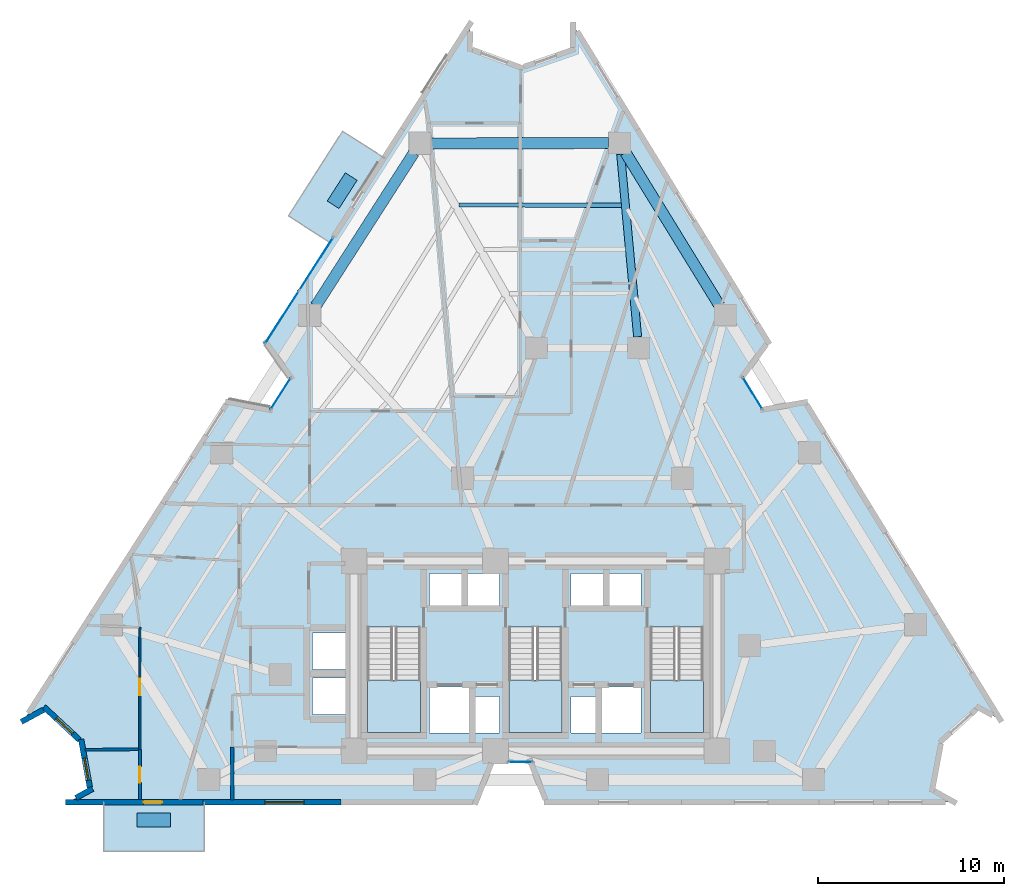
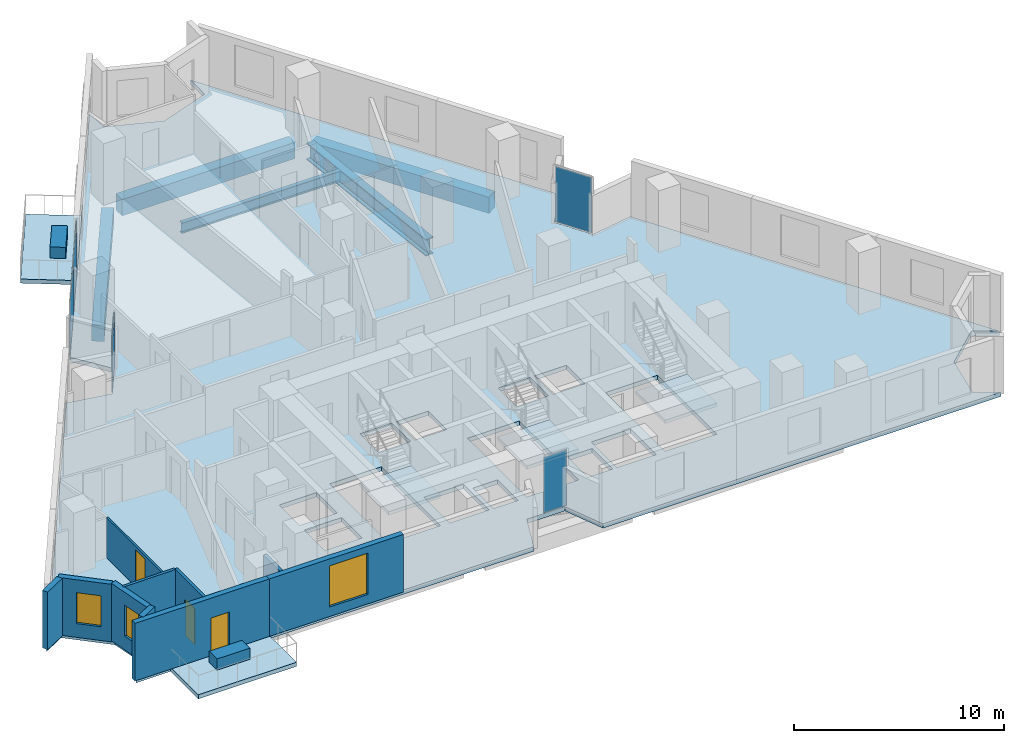
# One storey, part 5 of 13: 10 walls, 7 plates, 6 slabs, 5 beams, 3 doors, 3 windows, 6 openings, 7 elements without a shape of their own.
"""IFC4 building model written with IfcOpenShell, lengths in metres."""

from ifc_helpers import new_model, si_unit, direction, frame, frame_2d, origin, origin_2d, place, context, subcontext, project, spatial, polyline, rectangle, i_section, outline, extrude, material, layer, layer_set, material_profile, profile_set, type_object, element, fill, aggregate, save


model = new_model("IFC4")

# Units and contexts
model_context = context("Model", 3, precision=1e-05, world=origin(), true_north=direction((0.0, 1.0)))
body_context = subcontext(model_context, "Body", "Model", "MODEL_VIEW")
ifc_project = project(units=[si_unit("LENGTHUNIT", "METRE"), si_unit("AREAUNIT", "SQUARE_METRE"), si_unit("VOLUMEUNIT", "CUBIC_METRE"), si_unit("PLANEANGLEUNIT", "RADIAN"), si_unit("MASSUNIT", "GRAM", prefix="KILO")], contexts=[model_context])

# Site, building, storey
site_placement = place(None, origin())
site = spatial("IfcSite", under=ifc_project, at=site_placement, CompositionType="ELEMENT")
building_placement = place(site_placement, origin())
building = spatial("IfcBuilding", under=site, at=building_placement, Name="Almagre Mirador Tower", CompositionType="ELEMENT")
storey_placement = place(building_placement, frame((0.0, 0.0, 89.39990234375)))
storey = spatial("IfcBuildingStorey", under=building, at=storey_placement, Name="L22", CompositionType="ELEMENT", Elevation=89.39990234375)

# Beams
ifc_material_1 = material(Name="Steel ASTM A992 Grade 50", Category="steel")
ifc_material_profile_1 = material_profile(ifc_material_1, i_section(OverallWidth=0.22802734375, OverallDepth=0.60791015625, WebThickness=0.01123046875, FlangeThickness=0.017333984375, FilletRadius=0.02001953125, at=origin_2d()), Name="W24X76")
ifc_profile_set_1 = profile_set([ifc_material_profile_1], Name="Steel ASTM A992 Grade 50")
beam_type_1 = type_object("IfcBeamType", Name="BM-JST-W24X76", PredefinedType="JOIST", material=ifc_profile_set_1)
beam_1_placement = place(storey_placement, frame((41.923095703125, 33.86328125, -0.553955078125), z_axis=(-0.999997681519, 0.00215335929, 0.0), x_axis=(-0.00215335929, -0.999997681519, 0.0)))
element("IfcBeam", 1, at=beam_1_placement, inside=storey, type_object=beam_type_1, Name="L22 secondary floor joist PC08-PC09.1", PredefinedType="JOIST", context=body_context, shape_type="SweptSolid", body=[
    extrude(i_section(OverallWidth=0.22802734375, OverallDepth=0.60791015625, WebThickness=0.01123046875, FlangeThickness=0.017333984375, FilletRadius=0.02001953125, at=origin_2d()), origin(), (0.0, 0.0, 1.0), 8.72998046875),
])
ifc_material_2 = material(Name="Precast concrete C50/60", Category="concrete")
ifc_material_profile_2 = material_profile(ifc_material_2, rectangle(XDim=0.60009765625, YDim=0.949951171875, at=origin_2d()), Name="RC600X950")
ifc_profile_set_2 = profile_set([ifc_material_profile_2], Name="Precast concrete C50/60")
beam_type_2 = type_object("IfcBeamType", Name="BM-SPN-RC600X950", PredefinedType="SPANDREL", material=ifc_profile_set_2)
beam_2_placement = place(storey_placement, frame((47.19189453125, 28.47900390625, -0.724853515625), z_axis=(-0.523685040843, 0.851911954369, 0.0), x_axis=(-0.851911954369, -0.523685040843, 0.0)))
element("IfcBeam", 2, at=beam_2_placement, inside=storey, type_object=beam_type_2, Name="L22 perimeter spandrel beam PC07-PC08", PredefinedType="SPANDREL", context=body_context, shape_type="SweptSolid", body=[
    extrude(rectangle(XDim=0.60009765625, YDim=0.949951171875, at=origin_2d()), origin(), (0.0, 0.0, 1.0), 9.646484375),
])
beam_3_placement = place(storey_placement, frame((41.22607421875, 37.206787109375, -0.724853515625), z_axis=(-0.999998482053, -0.001742380833, 0.0), x_axis=(0.001742380833, -0.999998482053, 0.0)))
element("IfcBeam", 3, at=beam_3_placement, inside=storey, type_object=beam_type_2, Name="L22 perimeter spandrel beam PC08-PC09", PredefinedType="SPANDREL", context=body_context, shape_type="SweptSolid", body=[
    extrude(rectangle(XDim=0.60009765625, YDim=0.949951171875, at=origin_2d()), origin(), (0.0, 0.0, 1.0), 9.528076171875),
])
beam_4_placement = place(storey_placement, frame((30.7744140625, 36.683837890625, -0.724853515625), z_axis=(-0.539465454843, -0.842007733356, 0.0), x_axis=(0.842007733356, -0.539465454843, 0.0)))
element("IfcBeam", 4, at=beam_4_placement, inside=storey, type_object=beam_type_2, Name="L22 perimeter spandrel beam PC09-PC10", PredefinedType="SPANDREL", context=body_context, shape_type="SweptSolid", body=[
    extrude(rectangle(XDim=0.60009765625, YDim=0.949951171875, at=origin_2d()), origin(), (0.0, 0.0, 1.0), 9.77392578125),
])
ifc_material_3 = material(Name="Steel ASTM A992 Grade 50", Category="steel")
ifc_material_profile_3 = material_profile(ifc_material_3, i_section(OverallWidth=0.427978515625, OverallDepth=0.97509765625, WebThickness=0.031005859375, FlangeThickness=0.055908203125, FilletRadius=0.028076171875, at=origin_2d()), Name="W36X395")
ifc_profile_set_3 = profile_set([ifc_material_profile_3], Name="Steel ASTM A992 Grade 50")
beam_type_3 = type_object("IfcBeamType", Name="BM-STL-W36X395", PredefinedType="BEAM", material=ifc_profile_set_3)
beam_5_placement = place(storey_placement, frame((41.881591796875, 36.610595703125, -0.7373046875), z_axis=(0.092621655493, -0.99570137538, 0.0), x_axis=(0.99570137538, 0.092621655493, 0.0)))
element("IfcBeam", 5, at=beam_5_placement, inside=storey, type_object=beam_type_3, Name="L22 radial floor girder PC08-MC6", PredefinedType="BEAM", context=body_context, shape_type="SweptSolid", body=[
    extrude(i_section(OverallWidth=0.427978515625, OverallDepth=0.97509765625, WebThickness=0.031005859375, FlangeThickness=0.055908203125, FilletRadius=0.028076171875, at=origin_2d()), origin(), (0.0, 0.0, 1.0), 9.855712890625),
])

# Curtain wall, plate
ifc_material_4 = material(Name="Black anodized aluminium", Category="aluminium")
ifc_layer_1 = layer(ifc_material_4, 0.169921875)
ifc_layer_set_1 = layer_set([ifc_layer_1], Name="Black anodized aluminium")
curtain_wall_type_1 = type_object("IfcCurtainWallType", Name="CW-CRS-SYS", PredefinedType="NOTDEFINED", material=ifc_layer_set_1)
curtain_wall_1_placement = place(storey_placement, origin())
curtain_wall_1 = element("IfcCurtainWall", 6, at=curtain_wall_1_placement, inside=storey, type_object=curtain_wall_type_1, Name="L22 vertical crease curtain wall 01", PredefinedType="NOTDEFINED")
ifc_material_5 = material(Name="Dark solar-control laminated hurricane glass", Category="glass")
ifc_layer_2 = layer(ifc_material_5, 0.028076171875)
ifc_layer_set_2 = layer_set([ifc_layer_2], Name="Dark solar-control laminated hurricane glass")
plate_type_1 = type_object("IfcPlateType", Name="PLT-GLZ-28", PredefinedType="CURTAIN_PANEL", material=ifc_layer_set_2)
plate_1_placement = place(storey_placement, frame((23.610595703125, 23.739990234375, 0.06005859375), z_axis=(0.0, 0.0, 1.0), x_axis=(0.539257350873, 0.842141027103, 0.0)))
plate_1 = element("IfcPlate", 7, at=plate_1_placement, type_object=plate_type_1, Name="CW-4 panel 1.1", PredefinedType="CURTAIN_PANEL", context=body_context, shape_type="SweptSolid", body=[
    extrude(rectangle(XDim=1.969970703125, YDim=0.028076171875, at=origin_2d()), origin(), (0.0, 0.0, 1.0), 3.22998046875),
])
aggregate(curtain_wall_1, [plate_1])

curtain_wall_2_placement = place(storey_placement, origin())
curtain_wall_2 = element("IfcCurtainWall", 8, at=curtain_wall_2_placement, inside=storey, type_object=curtain_wall_type_1, Name="L22 vertical crease curtain wall 03", PredefinedType="NOTDEFINED")
plate_2_placement = place(storey_placement, frame((48.968505859375, 23.77392578125, 0.06005859375), z_axis=(0.0, 0.0, 1.0), x_axis=(0.523963930469, -0.85174045317, 0.0)))
plate_2 = element("IfcPlate", 9, at=plate_2_placement, type_object=plate_type_1, Name="CW-4 panel 1.1", PredefinedType="CURTAIN_PANEL", context=body_context, shape_type="SweptSolid", body=[
    extrude(rectangle(XDim=1.9697265625, YDim=0.028076171875, at=origin_2d()), origin(), (0.0, 0.0, 1.0), 3.22998046875),
])
aggregate(curtain_wall_2, [plate_2])

curtain_wall_3_placement = place(storey_placement, origin())
curtain_wall_3 = element("IfcCurtainWall", 10, at=curtain_wall_3_placement, inside=storey, type_object=curtain_wall_type_1, Name="L22 vertical crease curtain wall 04", PredefinedType="NOTDEFINED")
plate_3_placement = place(storey_placement, frame((36.49853515625, 3.949951171875, 0.06005859375), z_axis=(0.0, 0.0, 1.0), x_axis=(-1.0, 0.0, 0.0)))
plate_3 = element("IfcPlate", 11, at=plate_3_placement, type_object=plate_type_1, Name="CW-4 panel 1.1", PredefinedType="CURTAIN_PANEL", context=body_context, shape_type="SweptSolid", body=[
    extrude(rectangle(XDim=1.2529296875, YDim=0.028076171875, at=origin_2d()), origin(), (0.0, 0.0, 1.0), 3.22998046875),
])
aggregate(curtain_wall_3, [plate_3])

# Curtain wall, plates
ifc_material_6 = material(Name="Black anodized aluminium", Category="aluminium")
ifc_layer_3 = layer(ifc_material_6, 0.18994140625)
ifc_layer_set_3 = layer_set([ifc_layer_3], Name="Black anodized aluminium")
curtain_wall_type_2 = type_object("IfcCurtainWallType", Name="CW-RES-L-SYS", PredefinedType="NOTDEFINED", material=ifc_layer_set_3)
curtain_wall_4_placement = place(storey_placement, origin())
curtain_wall_4 = element("IfcCurtainWall", 12, at=curtain_wall_4_placement, inside=storey, type_object=curtain_wall_type_2, Name="L22 curtain wall run 02", PredefinedType="NOTDEFINED")
ifc_material_7 = material(Name="Dark solar-control laminated hurricane glass", Category="glass")
ifc_layer_4 = layer(ifc_material_7, 0.031982421875)
ifc_layer_set_4 = layer_set([ifc_layer_4], Name="Dark solar-control laminated hurricane glass")
plate_type_2 = type_object("IfcPlateType", Name="PLT-GLZ-32", PredefinedType="CURTAIN_PANEL", material=ifc_layer_set_4)
plate_4_placement = place(storey_placement, frame((23.68505859375, 27.84228515625, 0.06005859375), z_axis=(0.0, 0.0, 1.0), x_axis=(0.539469068688, 0.842005417993, 0.0)))
plate_4 = element("IfcPlate", 13, at=plate_4_placement, type_object=plate_type_2, Name="CW-2 panel 1.1", PredefinedType="CURTAIN_PANEL", context=body_context, shape_type="SweptSolid", body=[
    extrude(rectangle(XDim=3.33837890625, YDim=0.031982421875, at=origin_2d()), origin(), (0.0, 0.0, 1.0), 3.22998046875),
])
plate_5_placement = place(storey_placement, frame((25.52099609375, 30.707763671875, 0.06005859375), z_axis=(0.0, 0.0, 1.0), x_axis=(0.539469068688, 0.842005417993, 0.0)))
plate_5 = element("IfcPlate", 14, at=plate_5_placement, type_object=plate_type_2, Name="CW-2 panel 2.1", PredefinedType="CURTAIN_PANEL", context=body_context, shape_type="SweptSolid", body=[
    extrude(rectangle(XDim=3.33837890625, YDim=0.031982421875, at=origin_2d()), origin(), (0.0, 0.0, 1.0), 3.22998046875),
])
aggregate(curtain_wall_4, [plate_4, plate_5])

# Plates
ifc_material_8 = material(Name="Precast concrete C50/60", Category="concrete")
ifc_layer_5 = layer(ifc_material_8, 0.64990234375)
ifc_layer_set_5 = layer_set([ifc_layer_5], Name="Precast concrete C50/60")
plate_type_3 = type_object("IfcPlateType", Name="PLT-PLANTER-1800", PredefinedType="USERDEFINED", material=ifc_layer_set_5)
for number, where, z_axis, x_axis, name in (
    (15, (16.800048828125, 0.85009765625, 0.000244140625), (0.0, 0.0, 1.0), (1.0, 0.0, 0.0), "L22 south balcony structural tree planter 1"),
    (16, (26.919921875, 34.652099609375, 0.000244140625), (0.0, 0.0, 1.0), (-0.539461671362, -0.84201015738, 0.0), "L22 west balcony structural tree planter 2"),
):
    element("IfcPlate", number, at=place(storey_placement, frame(where, z_axis=z_axis, x_axis=x_axis)), inside=storey, type_object=plate_type_3, Name=name, ObjectType="PLANTER", PredefinedType="USERDEFINED", context=body_context, shape_type="SweptSolid", body=[
        extrude(rectangle(XDim=1.800048828125, YDim=0.75, at=origin_2d()), origin(), (0.0, 0.0, 1.0), 0.64990234375),
    ])

# Slabs
ifc_material_9 = material(Name="Concrete C45/55", Category="concrete")
ifc_layer_6 = layer(ifc_material_9, 0.239990234375)
ifc_layer_set_6 = layer_set([ifc_layer_6], Name="Concrete C45/55")
slab_type_1 = type_object("IfcSlabType", Name="SLB-BAL-240", PredefinedType="USERDEFINED", material=ifc_layer_set_6)
slab_1_placement = place(storey_placement, frame((0.0, 0.0, -0.239990234375)))
element("IfcSlab", 17, at=slab_1_placement, inside=storey, type_object=slab_type_1, Name="L22 south planted tree balcony 1", ObjectType="BALCONY", PredefinedType="USERDEFINED", context=body_context, shape_type="SweptSolid", body=[
    extrude(outline(polyline([(14.10009765625, 1.820068359375), (19.5, 1.820068359375), (19.5, -0.85009765625), (14.10009765625, -0.85009765625), (14.10009765625, 1.820068359375)])), origin(), (0.0, 0.0, 1.0), 0.239990234375),
])
slab_2_placement = place(storey_placement, frame((0.0, 0.0, -0.239990234375)))
element("IfcSlab", 18, at=slab_2_placement, inside=storey, type_object=slab_type_1, Name="L22 west planted tree balcony 2", ObjectType="BALCONY", PredefinedType="USERDEFINED", context=body_context, shape_type="SweptSolid", body=[
    extrude(outline(polyline([(29.194091796875, 36.402099609375), (26.280029296875, 31.85595703125), (24.031982421875, 33.2958984375), (26.945068359375, 37.843017578125), (29.194091796875, 36.402099609375)])), origin(), (0.0, 0.0, 1.0), 0.239990234375),
])
ifc_material_10 = material(Name="Concrete C45/55", Category="concrete")
ifc_layer_7 = layer(ifc_material_10, 0.25)
ifc_layer_set_7 = layer_set([ifc_layer_7], Name="Concrete C45/55")
slab_type_2 = type_object("IfcSlabType", Name="SLB-FLR-250", PredefinedType="FLOOR", material=ifc_layer_set_7)
slab_3_placement = place(storey_placement, frame((0.0, 0.0, -0.25)))
element("IfcSlab", 19, at=slab_3_placement, inside=storey, type_object=slab_type_2, Name="L22 structural floor slab", PredefinedType="FLOOR", context=body_context, shape_type="SweptSolid", body=[
    extrude(outline(polyline([(9.804931640625, 6.177978515625), (10.989990234375, 6.825927734375), (12.9169921875, 5.035888671875), (13.384033203125, 2.447998046875), (12.199951171875, 1.800048828125), (34.10009765625, 1.800048828125), (34.955078125, 3.949951171875), (37.044921875, 3.949951171875), (37.89990234375, 1.800048828125), (59.800048828125, 1.800048828125), (58.6220703125, 2.458984375), (59.114013671875, 5.091064453125), (61.09912109375, 6.888916015625), (62.277099609375, 6.22998046875), (51.794921875, 23.281005859375), (49.51611328125, 22.884033203125), (48.4208984375, 24.6640625), (49.804931640625, 26.51904296875), (39.322998046875, 43.570068359375), (39.31103515625, 42.219970703125), (36.537109375, 41.256103515625), (33.781982421875, 42.27197265625), (33.794921875, 43.6220703125), (22.824951171875, 26.5), (24.174072265625, 24.6201171875), (23.047119140625, 22.860107421875), (20.77490234375, 23.300048828125), (9.804931640625, 6.177978515625)]), holes=[polyline([(43.47509765625, 11.196044921875), (46.324951171875, 11.196044921875), (46.324951171875, 5.550048828125), (43.47509765625, 5.550048828125), (43.47509765625, 11.196044921875)]), polyline([(40.820068359375, 5.52001953125), (40.820068359375, 7.97998046875), (42.97998046875, 7.97998046875), (42.97998046875, 5.52001953125), (40.820068359375, 5.52001953125)]), polyline([(41.219970703125, 12.320068359375), (41.219970703125, 14.080078125), (42.97998046875, 14.080078125), (42.97998046875, 12.320068359375), (41.219970703125, 12.320068359375)]), polyline([(39.219970703125, 12.320068359375), (39.219970703125, 14.080078125), (40.97998046875, 14.080078125), (40.97998046875, 12.320068359375), (39.219970703125, 12.320068359375)]), polyline([(39.219970703125, 5.52001953125), (39.219970703125, 7.47998046875), (40.580078125, 7.47998046875), (40.580078125, 5.52001953125), (39.219970703125, 5.52001953125)]), polyline([(35.875, 11.196044921875), (38.72509765625, 11.196044921875), (38.72509765625, 5.550048828125), (35.875, 5.550048828125), (35.875, 11.196044921875)]), polyline([(35.3798828125, 5.52001953125), (34.02001953125, 5.52001953125), (34.02001953125, 7.47998046875), (35.3798828125, 7.47998046875), (35.3798828125, 5.52001953125)]), polyline([(35.3798828125, 12.320068359375), (33.6201171875, 12.320068359375), (33.6201171875, 14.080078125), (35.3798828125, 14.080078125), (35.3798828125, 12.320068359375)]), polyline([(31.6201171875, 5.52001953125), (31.6201171875, 7.97998046875), (33.780029296875, 7.97998046875), (33.780029296875, 5.52001953125), (31.6201171875, 5.52001953125)]), polyline([(31.6201171875, 12.320068359375), (31.6201171875, 14.080078125), (33.3798828125, 14.080078125), (33.3798828125, 12.320068359375), (31.6201171875, 12.320068359375)]), polyline([(28.27490234375, 5.550048828125), (28.27490234375, 11.196044921875), (31.125, 11.196044921875), (31.125, 5.550048828125), (28.27490234375, 5.550048828125)]), polyline([(25.320068359375, 6.52001953125), (25.320068359375, 8.47998046875), (27.3798828125, 8.47998046875), (27.3798828125, 6.52001953125), (25.320068359375, 6.52001953125)]), polyline([(25.320068359375, 8.919921875), (25.320068359375, 10.8798828125), (27.3798828125, 10.8798828125), (27.3798828125, 8.919921875), (25.320068359375, 8.919921875)])]), origin(), (0.0, 0.0, 1.0), 0.25),
])

# Stair, slab
ifc_material_11 = material(Name="Concrete C45/55", Category="concrete")
stair_type = type_object("IfcStairType", Name="STR-DL-3600", PredefinedType="HALF_TURN_STAIR", material=ifc_material_11)
stair_1_placement = place(storey_placement, origin())
stair_1 = element("IfcStair", 20, at=stair_1_placement, inside=storey, type_object=stair_type, Name="L22 Protected exit stair ST-1", PredefinedType="HALF_TURN_STAIR")
ifc_material_12 = material(Name="Concrete C45/55", Category="concrete")
ifc_layer_8 = layer(ifc_material_12, 0.199951171875)
ifc_layer_set_8 = layer_set([ifc_layer_8], Name="Concrete C45/55")
slab_type_3 = type_object("IfcSlabType", Name="SLB-LND-200", PredefinedType="LANDING", material=ifc_layer_set_8)
slab_4_placement = place(storey_placement, frame((0.0, 0.0, 1.60009765625)))
slab_4 = element("IfcSlab", 21, at=slab_4_placement, type_object=slab_type_3, Name="ST-1 landing 1", PredefinedType="LANDING", context=body_context, shape_type="SweptSolid", body=[
    extrude(outline(polyline([(28.27490234375, 8.35009765625), (28.27490234375, 5.550048828125), (31.125, 5.550048828125), (31.125, 8.35009765625), (28.27490234375, 8.35009765625)])), origin(), (0.0, 0.0, 1.0), 0.199951171875),
])
aggregate(stair_1, [slab_4])

stair_2_placement = place(storey_placement, origin())
stair_2 = element("IfcStair", 22, at=stair_2_placement, inside=storey, type_object=stair_type, Name="L22 Protected exit stair ST-2", PredefinedType="HALF_TURN_STAIR")
slab_5_placement = place(storey_placement, frame((0.0, 0.0, 1.60009765625)))
slab_5 = element("IfcSlab", 23, at=slab_5_placement, type_object=slab_type_3, Name="ST-2 landing 1", PredefinedType="LANDING", context=body_context, shape_type="SweptSolid", body=[
    extrude(outline(polyline([(35.875, 8.35009765625), (35.875, 5.550048828125), (38.72509765625, 5.550048828125), (38.72509765625, 8.35009765625), (35.875, 8.35009765625)])), origin(), (0.0, 0.0, 1.0), 0.199951171875),
])
aggregate(stair_2, [slab_5])

stair_3_placement = place(storey_placement, origin())
stair_3 = element("IfcStair", 24, at=stair_3_placement, inside=storey, type_object=stair_type, Name="L22 Protected exit stair ST-3", PredefinedType="HALF_TURN_STAIR")
slab_6_placement = place(storey_placement, frame((0.0, 0.0, 1.60009765625)))
slab_6 = element("IfcSlab", 25, at=slab_6_placement, type_object=slab_type_3, Name="ST-3 landing 1", PredefinedType="LANDING", context=body_context, shape_type="SweptSolid", body=[
    extrude(outline(polyline([(43.47509765625, 8.35009765625), (43.47509765625, 5.550048828125), (46.324951171875, 5.550048828125), (46.324951171875, 8.35009765625), (43.47509765625, 8.35009765625)])), origin(), (0.0, 0.0, 1.0), 0.199951171875),
])
aggregate(stair_3, [slab_6])

# Wall, opening, window
ifc_material_13 = material(Name="Precast concrete C50/60", Category="concrete")
ifc_layer_9 = layer(ifc_material_13, 0.300048828125)
ifc_layer_set_9 = layer_set([ifc_layer_9], Name="Precast concrete C50/60")
wall_type_1 = type_object("IfcWallType", Name="WAL-EXT-300", PredefinedType="SOLIDWALL", material=ifc_layer_set_9)
wall_1_placement = place(storey_placement, frame((26.8466796875, 1.800048828125, 0.0), z_axis=(0.0, 0.0, 1.0), x_axis=(-1.0, 0.0, 0.0)))
wall_1 = element("IfcWall", 26, at=wall_1_placement, inside=storey, type_object=wall_type_1, Name="L22 expressed almagre precast frame wall 27", PredefinedType="SOLIDWALL", context=body_context, shape_type="SweptSolid", body=[
    extrude(rectangle(XDim=7.393310546875, YDim=0.300048828125, at=frame_2d((3.69677734375, 0.0))), origin(), (0.0, 0.0, 1.0), 3.35009765625),
])
opening_1_placement = place(wall_1_placement, frame((1.97509765625, 0.0, 0.550048828125)))
opening_1 = element("IfcOpeningElement", 27, at=opening_1_placement, cuts=wall_1, Name="Opening WN-05", PredefinedType="OPENING", context=body_context, shape_type="SweptSolid", body=[
    extrude(rectangle(XDim=2.10009765625, YDim=2.39990234375, at=frame_2d((1.050048828125, 1.199951171875))), frame((0.0, 0.159902, 0.0), z_axis=(0.0, -1.0, 0.0), x_axis=(1.0, 0.0, 0.0)), (0.0, 0.0, 1.0), 0.320049),
])
ifc_material_14 = material(Name="Dark solar-control laminated hurricane glass", Category="glass")
window_type_1 = type_object("IfcWindowType", Name="WIN-2100X2400", PartitioningType="DOUBLE_PANEL_VERTICAL", PredefinedType="WINDOW", material=ifc_material_14)
window_1_placement = place(opening_1_placement, origin())
window_1 = element("IfcWindow", 28, at=window_1_placement, inside=storey, type_object=window_type_1, Name="L22 recessed hurricane window L22-UA-MB", OverallHeight=2.39990234375, OverallWidth=2.10009765625, PartitioningType="SINGLE_PANEL", PredefinedType="WINDOW", context=body_context, shape_type="SweptSolid", body=[
    extrude(rectangle(XDim=2.10009765625, YDim=2.39990234375, at=frame_2d((1.050048828125, 1.199951171875))), frame((0.0, 0.030029296875, 0.0), z_axis=(0.0, -1.0, 0.0), x_axis=(1.0, 0.0, 0.0)), (0.0, 0.0, 1.0), 0.06005859375),
])
fill(opening_1, window_1)

# Wall, opening, door
wall_2_placement = place(storey_placement, frame((19.453369140625, 1.800048828125, 0.0), z_axis=(0.0, 0.0, 1.0), x_axis=(-1.0, 0.0, 0.0)))
wall_2 = element("IfcWall", 29, at=wall_2_placement, inside=storey, type_object=wall_type_1, Name="L22 expressed almagre precast frame wall 28", PredefinedType="SOLIDWALL", context=body_context, shape_type="SweptSolid", body=[
    extrude(rectangle(XDim=7.393310546875, YDim=0.300048828125, at=frame_2d((3.69677734375, 0.0))), origin(), (0.0, 0.0, 1.0), 3.35009765625),
])
opening_2_placement = place(wall_2_placement, frame((2.204345703125, 0.0, 0.0)))
opening_2 = element("IfcOpeningElement", 30, at=opening_2_placement, cuts=wall_2, Name="Opening BD-01", PredefinedType="OPENING", context=body_context, shape_type="SweptSolid", body=[
    extrude(rectangle(XDim=1.0, YDim=2.199951171875, at=frame_2d((0.5, 1.10009765625))), frame((0.0, 0.159902, 0.0), z_axis=(0.0, -1.0, 0.0), x_axis=(1.0, 0.0, 0.0)), (0.0, 0.0, 1.0), 0.320049),
])
ifc_material_15 = material(Name="Black anodized aluminium and laminated glass", Category="aluminium")
door_type_1 = type_object("IfcDoorType", Name="DOR-BAL-1000X2200", OperationType="NOTDEFINED", PredefinedType="DOOR", material=ifc_material_15)
door_1_placement = place(opening_2_placement, origin())
door_1 = element("IfcDoor", 31, at=door_1_placement, inside=storey, type_object=door_type_1, Name="DR-0739 L22 south balcony glazed door 1", OperationType="SINGLE_SWING_LEFT", OverallHeight=2.199951171875, OverallWidth=1.0, PredefinedType="DOOR", context=body_context, shape_type="SweptSolid", body=[
    extrude(rectangle(XDim=1.0, YDim=2.199951171875, at=frame_2d((0.5, 1.10009765625))), frame((0.0, 0.02490234375, 0.0), z_axis=(0.0, -1.0, 0.0), x_axis=(1.0, 0.0, 0.0)), (0.0, 0.0, 1.0), 0.050048828125),
])
fill(opening_2, door_1)

# Wall
wall_3_placement = place(storey_placement, frame((12.6123046875, 2.025634765625, 0.0), z_axis=(0.0, 0.0, 1.0), x_axis=(0.877245120991, 0.480042704036, 0.0)))
element("IfcWall", 32, at=wall_3_placement, inside=storey, type_object=wall_type_1, Name="L22 expressed almagre precast frame wall 29", PredefinedType="SOLIDWALL", context=body_context, shape_type="SweptSolid", body=[
    extrude(rectangle(XDim=1.019775390625, YDim=0.300048828125, at=frame_2d((0.509765625, 0.0))), origin(), (0.0, 0.0, 1.0), 3.35009765625),
])

# Wall, opening, window
wall_4_placement = place(storey_placement, frame((13.360107421875, 2.580810546875, 0.0), z_axis=(0.0, 0.0, 1.0), x_axis=(-0.177621463404, 0.984098885142, 0.0)))
wall_4 = element("IfcWall", 33, at=wall_4_placement, inside=storey, type_object=wall_type_1, Name="L22 expressed almagre precast frame wall 30", PredefinedType="SOLIDWALL", context=body_context, shape_type="SweptSolid", body=[
    extrude(rectangle(XDim=2.635009765625, YDim=0.300048828125, at=frame_2d((1.3173828125, 0.0))), origin(), (0.0, 0.0, 1.0), 3.35009765625),
])
opening_3_placement = place(wall_4_placement, frame((0.39990234375, 0.0, 0.800048828125)))
opening_3 = element("IfcOpeningElement", 34, at=opening_3_placement, cuts=wall_4, Name="Opening WN-04", PredefinedType="OPENING", context=body_context, shape_type="SweptSolid", body=[
    extrude(rectangle(XDim=1.199951171875, YDim=1.800048828125, at=frame_2d((0.60009765625, 0.89990234375))), frame((0.0, 0.159902, 0.0), z_axis=(0.0, -1.0, 0.0), x_axis=(1.0, 0.0, 0.0)), (0.0, 0.0, 1.0), 0.320049),
])
ifc_material_16 = material(Name="Dark solar-control laminated hurricane glass", Category="glass")
window_type_2 = type_object("IfcWindowType", Name="WIN-1200X1800", PartitioningType="SINGLE_PANEL", PredefinedType="WINDOW", material=ifc_material_16)
window_2_placement = place(opening_3_placement, origin())
window_2 = element("IfcWindow", 35, at=window_2_placement, inside=storey, type_object=window_type_2, Name="L22 recessed hurricane window L22-UC-HB", OverallHeight=1.800048828125, OverallWidth=1.199951171875, PartitioningType="SINGLE_PANEL", PredefinedType="WINDOW", context=body_context, shape_type="SweptSolid", body=[
    extrude(rectangle(XDim=1.199951171875, YDim=1.800048828125, at=frame_2d((0.60009765625, 0.89990234375))), frame((0.0, 0.030029296875, 0.0), z_axis=(0.0, -1.0, 0.0), x_axis=(1.0, 0.0, 0.0)), (0.0, 0.0, 1.0), 0.06005859375),
])
fill(opening_3, window_2)

wall_5_placement = place(storey_placement, frame((12.809326171875, 5.135986328125, 0.0), z_axis=(0.0, 0.0, 1.0), x_axis=(-0.732640992678, 0.680615292105, 0.0)))
wall_5 = element("IfcWall", 36, at=wall_5_placement, inside=storey, type_object=wall_type_1, Name="L22 expressed almagre precast frame wall 31", PredefinedType="SOLIDWALL", context=body_context, shape_type="SweptSolid", body=[
    extrude(rectangle(XDim=2.623291015625, YDim=0.300048828125, at=frame_2d((1.3115234375, 0.0))), origin(), (0.0, 0.0, 1.0), 3.35009765625),
])
opening_4_placement = place(wall_5_placement, frame((0.512939453125, 0.0, 0.800048828125)))
opening_4 = element("IfcOpeningElement", 37, at=opening_4_placement, cuts=wall_5, Name="Opening WN-04", PredefinedType="OPENING", context=body_context, shape_type="SweptSolid", body=[
    extrude(rectangle(XDim=1.199951171875, YDim=1.800048828125, at=frame_2d((0.60009765625, 0.89990234375))), frame((0.0, 0.159902, 0.0), z_axis=(0.0, -1.0, 0.0), x_axis=(1.0, 0.0, 0.0)), (0.0, 0.0, 1.0), 0.320049),
])
window_3_placement = place(opening_4_placement, origin())
window_3 = element("IfcWindow", 38, at=window_3_placement, inside=storey, type_object=window_type_2, Name="L22 recessed hurricane window L22-UC-MB", OverallHeight=1.800048828125, OverallWidth=1.199951171875, PartitioningType="SINGLE_PANEL", PredefinedType="WINDOW", context=body_context, shape_type="SweptSolid", body=[
    extrude(rectangle(XDim=1.199951171875, YDim=1.800048828125, at=frame_2d((0.60009765625, 0.89990234375))), frame((0.0, 0.030029296875, 0.0), z_axis=(0.0, -1.0, 0.0), x_axis=(1.0, 0.0, 0.0)), (0.0, 0.0, 1.0), 0.06005859375),
])
fill(opening_4, window_3)

# Wall
wall_6_placement = place(storey_placement, frame((10.87158203125, 6.76123046875, 0.0), z_axis=(0.0, 0.0, 1.0), x_axis=(-0.877399567967, -0.479760354898, 0.0)))
element("IfcWall", 39, at=wall_6_placement, inside=storey, type_object=wall_type_1, Name="L22 expressed almagre precast frame wall 32", PredefinedType="SOLIDWALL", context=body_context, shape_type="SweptSolid", body=[
    extrude(rectangle(XDim=1.355712890625, YDim=0.300048828125, at=frame_2d((0.677734375, 0.0))), origin(), (0.0, 0.0, 1.0), 3.35009765625),
])

# Wall, opening, door
ifc_material_17 = material(Name="Gypsum acoustic stud partition", Category="other")
ifc_layer_10 = layer(ifc_material_17, 0.10009765625)
ifc_layer_set_10 = layer_set([ifc_layer_10], Name="Gypsum acoustic stud partition")
wall_type_2 = type_object("IfcWallType", Name="WAL-PRT-100-CLS", PredefinedType="PARTITIONING", material=ifc_layer_set_10)
wall_7_placement = place(storey_placement, frame((16.050048828125, 11.199951171875, 0.0), z_axis=(0.0, 0.0, 1.0), x_axis=(0.0, -1.0, 0.0)))
wall_7 = element("IfcWall", 40, at=wall_7_placement, inside=storey, type_object=wall_type_2, Name="L22 interior partition 029", PredefinedType="PARTITIONING", context=body_context, shape_type="SweptSolid", body=[
    extrude(rectangle(XDim=6.56005859375, YDim=0.10009765625, at=frame_2d((3.280029296875, 0.0))), origin(), (0.0, 0.0, 1.0), 2.34521484375),
])
opening_5_placement = place(wall_7_placement, frame((2.770263671875, 0.0, 0.0)))
opening_5 = element("IfcOpeningElement", 41, at=opening_5_placement, cuts=wall_7, Name="Opening UD-02", PredefinedType="OPENING", context=body_context, shape_type="SweptSolid", body=[
    extrude(rectangle(XDim=0.89990234375, YDim=2.14990234375, at=frame_2d((0.449951171875, 1.074951171875))), frame((0.0, 0.060049, 0.0), z_axis=(0.0, -1.0, 0.0), x_axis=(1.0, 0.0, 0.0)), (0.0, 0.0, 1.0), 0.120098),
])
ifc_material_18 = material(Name="Solid American walnut timber", Category="wood")
door_type_2 = type_object("IfcDoorType", Name="DOR-UNR-900X2150", OperationType="NOTDEFINED", PredefinedType="DOOR", material=ifc_material_18)
door_2_placement = place(opening_5_placement, origin())
door_2 = element("IfcDoor", 42, at=door_2_placement, inside=storey, type_object=door_type_2, Name="DR-0754 L22 interior door L22-UC-LV to L22-UC-MB", OperationType="SINGLE_SWING_LEFT", OverallHeight=2.14990234375, OverallWidth=0.89990234375, PredefinedType="DOOR", context=body_context, shape_type="SweptSolid", body=[
    extrude(rectangle(XDim=0.89990234375, YDim=2.14990234375, at=frame_2d((0.449951171875, 1.074951171875))), frame((0.0, 0.02490234375, 0.0), z_axis=(0.0, -1.0, 0.0), x_axis=(1.0, 0.0, 0.0)), (0.0, 0.0, 1.0), 0.050048828125),
])
fill(opening_5, door_2)

ifc_material_19 = material(Name="Gypsum acoustic stud partition", Category="other")
ifc_layer_11 = layer(ifc_material_19, 0.14990234375)
ifc_layer_set_11 = layer_set([ifc_layer_11], Name="Gypsum acoustic stud partition")
wall_type_3 = type_object("IfcWallType", Name="WAL-PRT-150-STD", PredefinedType="PARTITIONING", material=ifc_layer_set_11)
wall_8_placement = place(storey_placement, frame((16.050048828125, 4.639892578125, 0.0), z_axis=(0.0, 0.0, 1.0), x_axis=(0.0, -1.0, 0.0)))
wall_8 = element("IfcWall", 43, at=wall_8_placement, inside=storey, type_object=wall_type_3, Name="L22 interior partition 026", PredefinedType="PARTITIONING", context=body_context, shape_type="SweptSolid", body=[
    extrude(rectangle(XDim=2.704833984375, YDim=0.14990234375, at=frame_2d((1.3525390625, 0.0))), origin(), (0.0, 0.0, 1.0), 3.35009765625),
])
opening_6_placement = place(wall_8_placement, frame((0.93798828125, 0.0, 0.0)))
opening_6 = element("IfcOpeningElement", 44, at=opening_6_placement, cuts=wall_8, Name="Opening UD-04", PredefinedType="OPENING", context=body_context, shape_type="SweptSolid", body=[
    extrude(rectangle(XDim=0.85009765625, YDim=2.10009765625, at=frame_2d((0.425048828125, 1.050048828125))), frame((0.0, 0.084951, 0.0), z_axis=(0.0, -1.0, 0.0), x_axis=(1.0, 0.0, 0.0)), (0.0, 0.0, 1.0), 0.169902),
])
ifc_material_20 = material(Name="Moisture-resistant oak timber", Category="wood")
door_type_3 = type_object("IfcDoorType", Name="DOR-UNR-850X2100", OperationType="NOTDEFINED", PredefinedType="DOOR", material=ifc_material_20)
door_3_placement = place(opening_6_placement, origin())
door_3 = element("IfcDoor", 45, at=door_3_placement, inside=storey, type_object=door_type_3, Name="DR-0753 L22 interior door L22-UC-LV to L22-UC-HB", OperationType="SINGLE_SWING_RIGHT", OverallHeight=2.10009765625, OverallWidth=0.85009765625, PredefinedType="DOOR", context=body_context, shape_type="SweptSolid", body=[
    extrude(rectangle(XDim=0.85009765625, YDim=2.10009765625, at=frame_2d((0.425048828125, 1.050048828125))), frame((0.0, 0.02490234375, 0.0), z_axis=(0.0, -1.0, 0.0), x_axis=(1.0, 0.0, 0.0)), (0.0, 0.0, 1.0), 0.050048828125),
])
fill(opening_6, door_3)

# Walls
wall_9_placement = place(storey_placement, frame((15.989990234375, 4.639404296875, 0.0), z_axis=(0.0, 0.0, 1.0), x_axis=(-0.999944518883, -0.010533715225, 0.0)))
element("IfcWall", 46, at=wall_9_placement, inside=storey, type_object=wall_type_3, Name="L22 interior partition 030", PredefinedType="PARTITIONING", context=body_context, shape_type="SweptSolid", body=[
    extrude(rectangle(XDim=2.897216796875, YDim=0.14990234375, at=frame_2d((1.44873046875, 0.0))), origin(), (0.0, 0.0, 1.0), 3.35009765625),
])
ifc_material_21 = material(Name="Gypsum acoustic stud partition", Category="other")
ifc_layer_12 = layer(ifc_material_21, 0.175048828125)
ifc_layer_set_12 = layer_set([ifc_layer_12], Name="Gypsum acoustic stud partition")
wall_type_4 = type_object("IfcWallType", Name="WAL-PRT-175-AC", PredefinedType="PARTITIONING", material=ifc_layer_set_12)
wall_10_placement = place(storey_placement, frame((21.010009765625, 1.89990234375, 0.0), z_axis=(0.0, 0.0, 1.0), x_axis=(0.0, 1.0, 0.0)))
element("IfcWall", 47, at=wall_10_placement, inside=storey, type_object=wall_type_4, Name="L22 interior partition 018", PredefinedType="PARTITIONING", context=body_context, shape_type="SweptSolid", body=[
    extrude(rectangle(XDim=2.860107421875, YDim=0.175048828125, at=frame_2d((1.43017578125, 0.0))), origin(), (0.0, 0.0, 1.0), 2.34521484375),
])

save(model, "model.ifc")
